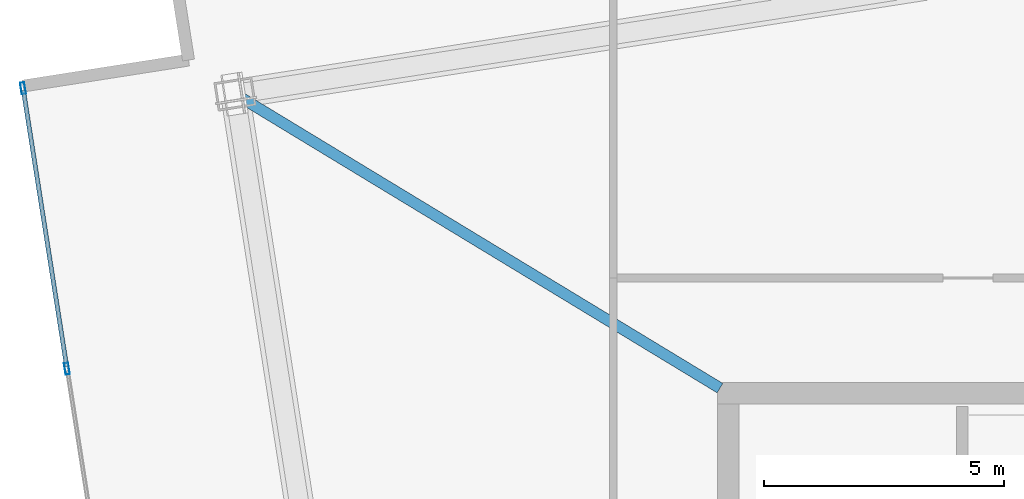
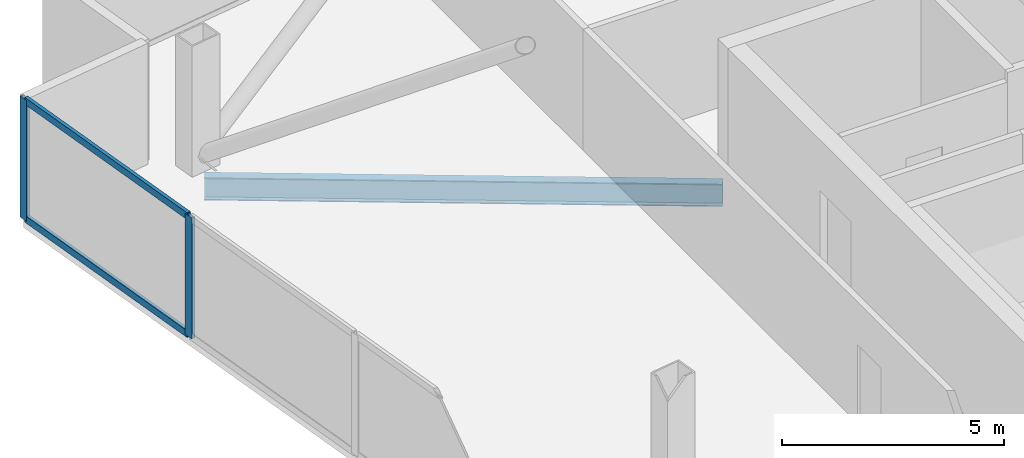
# One storey, part 12 of 21: 4 members, 1 beam, 1 element without a shape of its own.
"""IFC4 building model written with IfcOpenShell, lengths in metres."""

from ifc_helpers import new_model, si_unit, direction, frame, origin, origin_2d, place, context, subcontext, project, spatial, hollow_rectangle, i_section, extrude, material, material_profile, profile_set, type_object, element, aggregate, save


model = new_model("IFC4")

# Units and contexts
model_context = context("Model", 3, precision=1e-05, world=origin(), true_north=direction((0.0, 1.0)))
body_context = subcontext(model_context, "Body", "Model", "MODEL_VIEW")
ifc_project = project(units=[si_unit("LENGTHUNIT", "METRE"), si_unit("AREAUNIT", "SQUARE_METRE"), si_unit("VOLUMEUNIT", "CUBIC_METRE"), si_unit("PLANEANGLEUNIT", "RADIAN"), si_unit("MASSUNIT", "GRAM", prefix="KILO")], contexts=[model_context])

# Site, building, storey
site_placement = place(None, origin())
site = spatial("IfcSite", under=ifc_project, at=site_placement, CompositionType="ELEMENT")
building_placement = place(site_placement, origin())
building = spatial("IfcBuilding", under=site, at=building_placement, Name="Haldenkirk Collegiate Tower", CompositionType="ELEMENT")
storey_placement = place(building_placement, frame((0.0, 0.0, 360.60009765625)))
storey = spatial("IfcBuildingStorey", under=building, at=storey_placement, Name="L91", CompositionType="ELEMENT", Elevation=360.60009765625)

# Beam
ifc_material_1 = material(Name="Steel ASTM A992 Grade 50", Category="steel")
ifc_material_profile_1 = material_profile(ifc_material_1, i_section(OverallWidth=0.22998046875, OverallDepth=0.616943359375, WebThickness=0.01318359375, FlangeThickness=0.022216796875, at=origin_2d()), Name="W24X94")
ifc_profile_set_1 = profile_set([ifc_material_profile_1], Name="Steel ASTM A992 Grade 50")
beam_type = type_object("IfcBeamType", Name="BM-GIRDER-W24X94", PredefinedType="BEAM", material=ifc_profile_set_1)
beam_placement = place(storey_placement, frame((16.843505859375, 40.159912109375, -0.57861328125), z_axis=(0.855035491558, -0.518569482496, 0.0), x_axis=(0.518569482496, 0.855035491558, 0.0)))
element("IfcBeam", 1, at=beam_placement, inside=storey, type_object=beam_type, Name="L91 crown radial floor beam 5", PredefinedType="BEAM", context=body_context, shape_type="SweptSolid", body=[
    extrude(i_section(OverallWidth=0.22998046875, OverallDepth=0.616943359375, WebThickness=0.01318359375, FlangeThickness=0.022216796875, at=origin_2d()), origin(), (0.0, 0.0, 1.0), 11.678466796875),
])

# Curtain wall, members
ifc_material_2 = material(Name="Anodised architectural bronze aluminium", Category="aluminium")
curtain_wall_type = type_object("IfcCurtainWallType", Name="CW-SYS6-CROWN", PredefinedType="USERDEFINED", material=ifc_material_2)
curtain_wall_placement = place(storey_placement, origin())
curtain_wall = element("IfcCurtainWall", 2, at=curtain_wall_placement, inside=storey, type_object=curtain_wall_type, Name="L91 Closed crown ring ceramic-fritted bronze screen curtain wall", ObjectType="UNITISED CURTAIN WALL", PredefinedType="USERDEFINED")
ifc_material_profile_2 = material_profile(ifc_material_2, hollow_rectangle(XDim=0.090087890625, YDim=0.239990234375, WallThickness=0.0048828125, at=origin_2d()), Name="CW-MUL-06")
ifc_profile_set_2 = profile_set([ifc_material_profile_2], Name="Anodised architectural bronze aluminium")
member_type_1 = type_object("IfcMemberType", Name="CW-MUL-06", PredefinedType="MULLION", material=ifc_profile_set_2)
member_1_placement = place(storey_placement, frame((13.208984375, 34.509765625, 0.0), z_axis=(0.0, 0.0, 1.0), x_axis=(-0.987959532462, -0.154712514742, 0.0)))
member_1 = element("IfcMember", 3, at=member_1_placement, type_object=member_type_1, Name="CW-06 mullion 6", PredefinedType="MULLION", context=body_context, shape_type="SweptSolid", body=[
    extrude(hollow_rectangle(XDim=0.090087890625, YDim=0.239990234375, WallThickness=0.0048828125, at=origin_2d()), origin(), (0.0, 0.0, 1.0), 3.329833984375),
])
member_2_placement = place(storey_placement, frame((12.29296875, 40.360107421875, 0.0), z_axis=(0.0, 0.0, 1.0), x_axis=(-0.987959532462, -0.154712514742, 0.0)))
member_2 = element("IfcMember", 4, at=member_2_placement, type_object=member_type_1, Name="CW-06 mullion 7", PredefinedType="MULLION", context=body_context, shape_type="SweptSolid", body=[
    extrude(hollow_rectangle(XDim=0.090087890625, YDim=0.239990234375, WallThickness=0.0048828125, at=origin_2d()), origin(), (0.0, 0.0, 1.0), 3.329833984375),
])
ifc_material_profile_3 = material_profile(ifc_material_2, hollow_rectangle(XDim=0.090087890625, YDim=0.18994140625, WallThickness=0.0048828125, at=origin_2d()), Name="CW-TRN-06")
ifc_profile_set_3 = profile_set([ifc_material_profile_3], Name="Anodised architectural bronze aluminium")
member_type_2 = type_object("IfcMemberType", Name="CW-TRN-06", PredefinedType="USERDEFINED", material=ifc_profile_set_3)
member_3_placement = place(storey_placement, frame((13.2021484375, 34.55419921875, 0.044921875), z_axis=(-0.154730622105, 0.987956696714, 0.0), x_axis=(-0.987956696714, -0.154730622105, 0.0)))
member_3 = element("IfcMember", 5, at=member_3_placement, type_object=member_type_2, Name="CW-06 transom 6.1", ObjectType="TRANSOM", PredefinedType="USERDEFINED", context=body_context, shape_type="SweptSolid", body=[
    extrude(hollow_rectangle(XDim=0.090087890625, YDim=0.18994140625, WallThickness=0.0048828125, at=origin_2d()), origin(), (0.0, 0.0, 1.0), 5.831787109375),
])
member_4_placement = place(storey_placement, frame((13.2021484375, 34.55419921875, 3.284912109375), z_axis=(-0.154730622105, 0.987956696714, 0.0), x_axis=(-0.987956696714, -0.154730622105, 0.0)))
member_4 = element("IfcMember", 6, at=member_4_placement, type_object=member_type_2, Name="CW-06 transom 6.2", ObjectType="TRANSOM", PredefinedType="USERDEFINED", context=body_context, shape_type="SweptSolid", body=[
    extrude(hollow_rectangle(XDim=0.090087890625, YDim=0.18994140625, WallThickness=0.0048828125, at=origin_2d()), origin(), (0.0, 0.0, 1.0), 5.831787109375),
])
aggregate(curtain_wall, [member_1, member_2, member_3, member_4])

save(model, "model.ifc")
